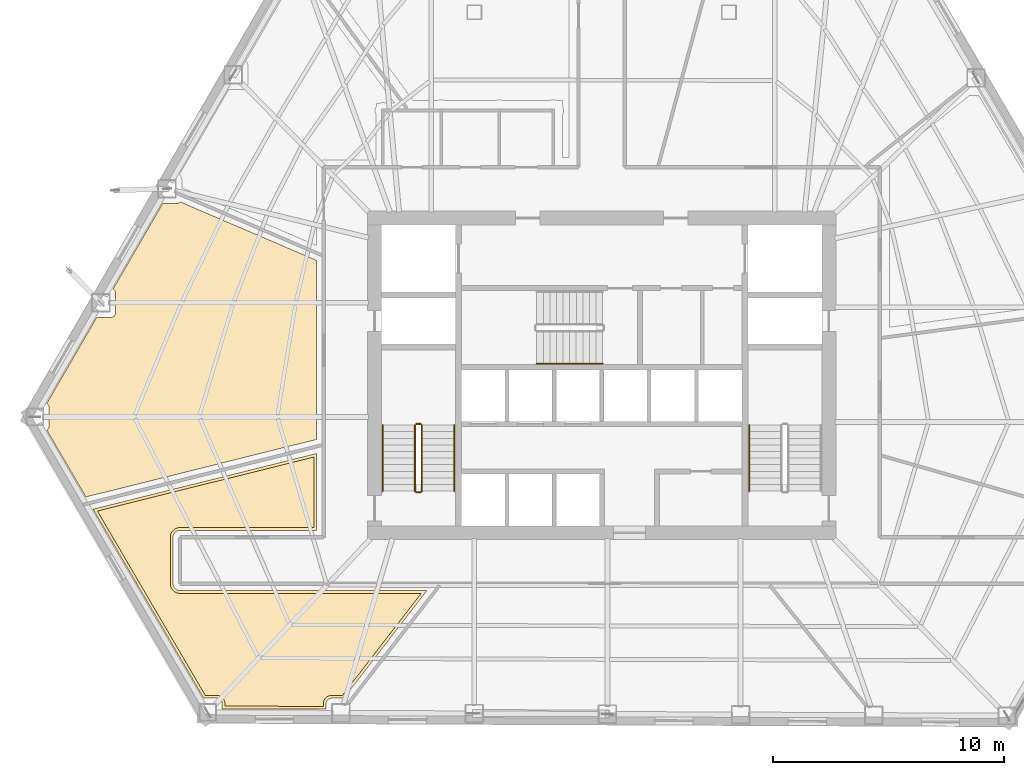
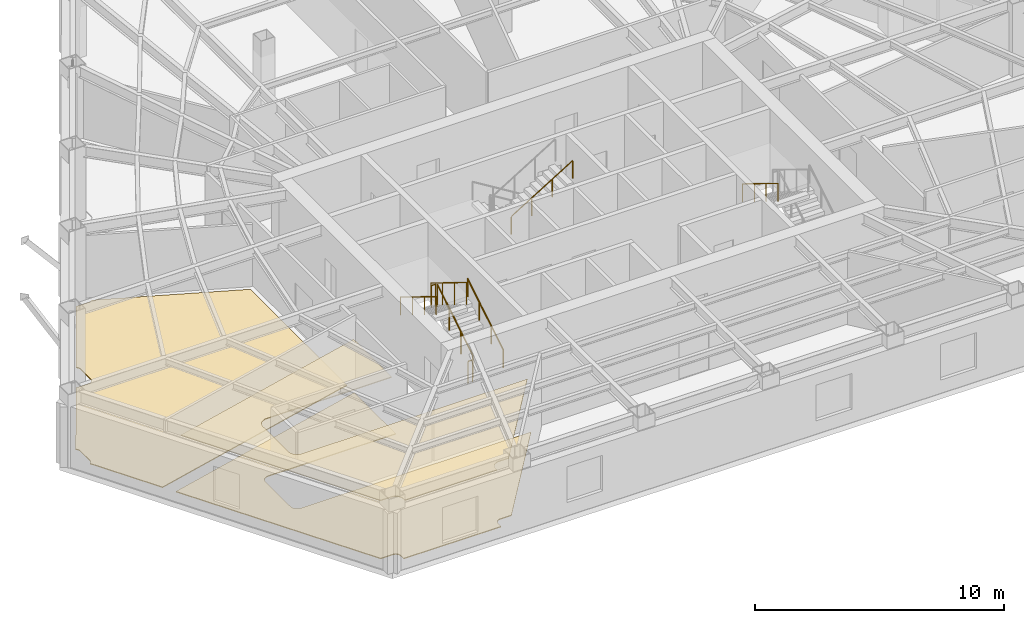
# One storey, part 12 of 14: 8 railings, 3 coverings.
"""IFC4 building model written with IfcOpenShell, lengths in metres."""

from ifc_helpers import new_model, si_unit, direction, frame, origin, origin_2d, place, context, subcontext, project, spatial, polyline, circle, outline, extrude, material, layer, layer_set, type_object, element, save


model = new_model("IFC4")

# Units and contexts
model_context = context("Model", 3, precision=1e-05, world=origin(), true_north=direction((0.0, 1.0)))
body_context = subcontext(model_context, "Body", "Model", "MODEL_VIEW")
ifc_project = project(units=[si_unit("LENGTHUNIT", "METRE"), si_unit("AREAUNIT", "SQUARE_METRE"), si_unit("VOLUMEUNIT", "CUBIC_METRE"), si_unit("PLANEANGLEUNIT", "RADIAN"), si_unit("MASSUNIT", "GRAM", prefix="KILO")], contexts=[model_context])

# Site, building, storey
site_placement = place(None, origin())
site = spatial("IfcSite", under=ifc_project, at=site_placement, CompositionType="ELEMENT")
building_placement = place(site_placement, origin())
building = spatial("IfcBuilding", under=site, at=building_placement, Name="Kavelnor Concourse Tower", CompositionType="ELEMENT")
storey_placement = place(building_placement, frame((0.0, 0.0, 52.199951171875)))
storey = spatial("IfcBuildingStorey", under=building, at=storey_placement, Name="L13", CompositionType="ELEMENT", Elevation=52.199951171875)

# Coverings
ifc_material_1 = material(Name="Mineral fibre acoustic ceiling tile")
ifc_layer_1 = layer(ifc_material_1, 0.0400390625, Name="Mineral fibre acoustic ceiling tile")
ifc_layer_set_1 = layer_set([ifc_layer_1], Name="Mineral fibre acoustic ceiling tile")
covering_type_1 = type_object("IfcCoveringType", Name="COV-CEILING-ACOUSTIC", PredefinedType="CEILING", material=ifc_layer_set_1)
covering_1_placement = place(storey_placement, frame((0.0, 0.0, 2.75)))
element("IfcCovering", 1, at=covering_1_placement, inside=storey, type_object=covering_type_1, Name="L13 Suspended Acoustic Ceiling", PredefinedType="CEILING", context=body_context, shape_type="SweptSolid", body=[
    extrude(outline(polyline([(19.7666015625, 9.5224609375), (19.7333984375, 9.52099609375), (19.6923828125, 9.514892578125), (19.652099609375, 9.504638671875), (19.613037109375, 9.49072265625), (19.575439453125, 9.472900390625), (19.539794921875, 9.45166015625), (19.506591796875, 9.427001953125), (19.475830078125, 9.39892578125), (19.447998046875, 9.368408203125), (19.42333984375, 9.3349609375), (19.40185546875, 9.29931640625), (19.38427734375, 9.26171875), (19.3701171875, 9.222900390625), (19.360107421875, 9.1826171875), (19.35400390625, 9.1416015625), (19.352294921875, 9.1083984375), (19.352294921875, 7.091796875), (19.35400390625, 7.05859375), (19.360107421875, 7.017578125), (19.3701171875, 6.977294921875), (19.38427734375, 6.938232421875), (19.40185546875, 6.900634765625), (19.42333984375, 6.864990234375), (19.447998046875, 6.831787109375), (19.475830078125, 6.801025390625), (19.506591796875, 6.773193359375), (19.539794921875, 6.748291015625), (19.575439453125, 6.72705078125), (19.613037109375, 6.709228515625), (19.652099609375, 6.6953125), (19.6923828125, 6.685302734375), (19.7333984375, 6.67919921875), (19.7666015625, 6.677490234375), (25.98828125, 6.677490234375), (26.021484375, 6.67919921875), (26.030029296875, 6.680419921875), (26.03857421875, 6.67919921875), (26.07177734375, 6.677490234375), (30.198974609375, 6.677490234375), (26.79248046875, 2.2666015625), (26.321533203125, 2.2666015625), (26.29443359375, 2.26513671875), (26.259521484375, 2.260009765625), (26.22509765625, 2.25146484375), (26.19189453125, 2.239501953125), (26.159912109375, 2.224365234375), (26.129638671875, 2.206298828125), (26.101318359375, 2.18505859375), (26.074951171875, 2.161376953125), (26.05126953125, 2.135009765625), (26.030029296875, 2.106689453125), (26.011962890625, 2.076416015625), (25.996826171875, 2.04443359375), (25.98486328125, 2.010986328125), (25.976318359375, 1.976806640625), (25.97119140625, 1.94189453125), (25.9697265625, 1.914794921875), (25.9697265625, 1.789794921875), (21.711669921875, 1.80810546875), (21.711669921875, 1.919677734375), (21.71044921875, 1.946533203125), (21.705078125, 1.981689453125), (21.696533203125, 2.015869140625), (21.684814453125, 2.04931640625), (21.669677734375, 2.081298828125), (21.6513671875, 2.111572265625), (21.63037109375, 2.139892578125), (21.6064453125, 2.166015625), (21.580322265625, 2.18994140625), (21.552001953125, 2.2109375), (21.521484375, 2.229248046875), (21.489501953125, 2.244384765625), (21.456298828125, 2.256103515625), (21.422119140625, 2.264892578125), (21.386962890625, 2.27001953125), (21.360107421875, 2.271240234375), (20.863037109375, 2.271240234375), (16.200927734375, 10.2373046875), (25.5576171875, 12.570068359375), (25.5576171875, 9.5224609375), (19.7666015625, 9.5224609375)])), origin(), (0.0, 0.0, 1.0), 0.0400390625),
])
ifc_material_2 = material(Name="Honed bluestone and raised access floor finish", Category="masonry")
ifc_layer_2 = layer(ifc_material_2, 0.0400390625, Name="Honed bluestone and raised access floor finish")
ifc_layer_set_2 = layer_set([ifc_layer_2], Name="Honed bluestone and raised access floor finish")
covering_type_2 = type_object("IfcCoveringType", Name="COV-FLOOR-STONE", PredefinedType="FLOORING", material=ifc_layer_set_2)
covering_2_placement = place(storey_placement, frame((0.0, 0.0, 0.001953125)))
element("IfcCovering", 2, at=covering_2_placement, inside=storey, type_object=covering_type_2, Name="L13 Honed Bluestone Floor Finish", PredefinedType="FLOORING", context=body_context, shape_type="SweptSolid", body=[
    extrude(outline(polyline([(16.1650390625, 18.597412109375), (16.75634765625, 18.597412109375), (16.774658203125, 18.59814453125), (16.7978515625, 18.601806640625), (16.82080078125, 18.607421875), (16.843017578125, 18.615234375), (16.8642578125, 18.62548828125), (16.884521484375, 18.637451171875), (16.9033203125, 18.651611328125), (16.9208984375, 18.66748046875), (16.936767578125, 18.684814453125), (16.95068359375, 18.703857421875), (16.962890625, 18.72412109375), (16.972900390625, 18.745361328125), (16.98095703125, 18.767578125), (16.986572265625, 18.790283203125), (16.989990234375, 18.813720703125), (16.990966796875, 18.831787109375), (16.990966796875, 19.642578125), (16.989990234375, 19.660888671875), (16.986572265625, 19.68408203125), (16.98095703125, 19.70703125), (16.972900390625, 19.729248046875), (16.962890625, 19.75048828125), (16.95068359375, 19.770751953125), (16.936767578125, 19.789794921875), (16.9208984375, 19.80712890625), (16.9033203125, 19.822998046875), (16.884521484375, 19.837158203125), (16.8837890625, 19.83740234375), (19.021484375, 23.52685546875), (19.613037109375, 23.52685546875), (19.631103515625, 23.52783203125), (19.654541015625, 23.53125), (19.67724609375, 23.537109375), (19.699462890625, 23.544921875), (19.720947265625, 23.554931640625), (19.7412109375, 23.567138671875), (19.760009765625, 23.581298828125), (19.777587890625, 23.596923828125), (19.7802734375, 23.60009765625), (25.677490234375, 21.068603515625), (25.677490234375, 13.331787109375), (15.7060546875, 10.845458984375), (14.015625, 13.733642578125), (14.02685546875, 13.741943359375), (14.044189453125, 13.7578125), (14.06005859375, 13.775390625), (14.07421875, 13.794189453125), (14.086181640625, 13.814453125), (14.096435546875, 13.835693359375), (14.104248046875, 13.85791015625), (14.110107421875, 13.880859375), (14.113525390625, 13.904052734375), (14.114501953125, 13.92236328125), (14.114501953125, 14.693115234375), (14.113525390625, 14.711181640625), (14.110107421875, 14.734619140625), (14.104248046875, 14.75732421875), (14.096435546875, 14.779541015625), (14.086181640625, 14.801025390625), (14.07421875, 14.8212890625), (14.06005859375, 14.840087890625), (14.044189453125, 14.857666015625), (14.02685546875, 14.873291015625), (14.012939453125, 14.8837890625), (16.1650390625, 18.597412109375)])), origin(), (0.0, 0.0, 1.0), 0.0400390625),
])
covering_3_placement = place(storey_placement, frame((0.0, 0.0, 0.001953125)))
element("IfcCovering", 3, at=covering_3_placement, inside=storey, type_object=covering_type_2, Name="L13 Honed Bluestone Floor Finish", PredefinedType="FLOORING", context=body_context, shape_type="SweptSolid", body=[
    extrude(outline(polyline([(19.76953125, 9.402587890625), (19.7451171875, 9.4013671875), (19.7158203125, 9.39697265625), (19.68701171875, 9.3896484375), (19.658935546875, 9.379638671875), (19.632080078125, 9.366943359375), (19.606689453125, 9.351806640625), (19.582763671875, 9.333984375), (19.560791015625, 9.314208984375), (19.541015625, 9.2919921875), (19.523193359375, 9.268310546875), (19.5078125, 9.24267578125), (19.4951171875, 9.2158203125), (19.485107421875, 9.18798828125), (19.47802734375, 9.1591796875), (19.4736328125, 9.129638671875), (19.472412109375, 9.10546875), (19.472412109375, 7.094482421875), (19.4736328125, 7.0703125), (19.47802734375, 7.041015625), (19.485107421875, 7.01220703125), (19.4951171875, 6.984130859375), (19.5078125, 6.957275390625), (19.523193359375, 6.931884765625), (19.541015625, 6.907958984375), (19.560791015625, 6.885986328125), (19.582763671875, 6.865966796875), (19.606689453125, 6.848388671875), (19.632080078125, 6.8330078125), (19.658935546875, 6.8203125), (19.68701171875, 6.810302734375), (19.7158203125, 6.802978515625), (19.7451171875, 6.798583984375), (19.76953125, 6.797607421875), (25.9853515625, 6.797607421875), (26.009765625, 6.798583984375), (26.030029296875, 6.8017578125), (26.05029296875, 6.798583984375), (26.07470703125, 6.797607421875), (30.443115234375, 6.797607421875), (26.851318359375, 2.146484375), (26.324462890625, 2.146484375), (26.30615234375, 2.1455078125), (26.282958984375, 2.14208984375), (26.260009765625, 2.136474609375), (26.23779296875, 2.12841796875), (26.216552734375, 2.118408203125), (26.1962890625, 2.106201171875), (26.177490234375, 2.09228515625), (26.159912109375, 2.076416015625), (26.14404296875, 2.058837890625), (26.1298828125, 2.0400390625), (26.117919921875, 2.019775390625), (26.10791015625, 1.998291015625), (26.099853515625, 1.976318359375), (26.09423828125, 1.953369140625), (26.0908203125, 1.93017578125), (26.08984375, 1.911865234375), (26.08984375, 1.669189453125), (21.591796875, 1.688720703125), (21.591796875, 1.916748046875), (21.5908203125, 1.934814453125), (21.58740234375, 1.958251953125), (21.58154296875, 1.98095703125), (21.57373046875, 2.003173828125), (21.563720703125, 2.024658203125), (21.551513671875, 2.044921875), (21.537353515625, 2.063720703125), (21.521484375, 2.081298828125), (21.504150390625, 2.096923828125), (21.485107421875, 2.111083984375), (21.465087890625, 2.123291015625), (21.443603515625, 2.13330078125), (21.42138671875, 2.14111328125), (21.398681640625, 2.14697265625), (21.375244140625, 2.150390625), (21.357177734375, 2.1513671875), (20.794189453125, 2.1513671875), (16.0166015625, 10.31494140625), (25.677490234375, 12.7236328125), (25.677490234375, 9.402587890625), (19.76953125, 9.402587890625)])), origin(), (0.0, 0.0, 1.0), 0.0400390625),
])

# Railings
ifc_material_3 = material(Name="Steel Grade 350", Category="steel")
railing_type_1 = type_object("IfcRailingType", Name="RLG-GUARD-1100", PredefinedType="GUARDRAIL", material=ifc_material_3)
railing_1_placement = place(storey_placement, frame((30.22998046875, 11.10009765625, 0.175048828125)))
element("IfcRailing", 4, at=railing_1_placement, inside=storey, type_object=railing_type_1, Name="L13 ST1 stair guard 1", PredefinedType="GUARDRAIL", context=body_context, shape_type="SweptSolid", body=[
    extrude(circle(Radius=0.02392578125, at=origin_2d()), frame((0.0, 0.0, 1.076171875), z_axis=(0.0, 0.852159232446, 0.523282564737), x_axis=(-1.0, 0.0, 0.0)), (0.0, 0.0, 1.0), 3.34423828125),
    extrude(circle(Radius=0.02099609375, at=origin_2d()), origin(), (0.0, 0.0, 1.0), 1.052001953125),
    extrude(circle(Radius=0.02099609375, at=origin_2d()), frame((0.0, 0.949951171875, 0.583251953125)), (0.0, 0.0, 1.0), 1.052001953125),
    extrude(circle(Radius=0.02099609375, at=origin_2d()), frame((0.0, 1.89990234375, 1.166748046875)), (0.0, 0.0, 1.0), 1.052001953125),
    extrude(circle(Radius=0.02099609375, at=origin_2d()), frame((0.0, 2.849853515625, 1.75)), (0.0, 0.0, 1.0), 1.052001953125),
])
railing_2_placement = place(storey_placement, frame((30.179931640625, 14.0, 1.925048828125)))
element("IfcRailing", 5, at=railing_2_placement, inside=storey, type_object=railing_type_1, Name="L13 ST1 stair guard 2", PredefinedType="GUARDRAIL", context=body_context, shape_type="SweptSolid", body=[
    extrude(circle(Radius=0.02392578125, at=origin_2d()), frame((0.0, 0.0, 1.076171875), z_axis=(-1.0, 0.0, 0.0), x_axis=(0.0, -1.0, 0.0)), (0.0, 0.0, 1.0), 0.199951171875),
    extrude(circle(Radius=0.02099609375, at=origin_2d()), origin(), (0.0, 0.0, 1.0), 1.052001953125),
    extrude(circle(Radius=0.02099609375, at=origin_2d()), frame((-0.199951171875, 0.0, 0.0)), (0.0, 0.0, 1.0), 1.052001953125),
])
railing_3_placement = place(storey_placement, frame((29.929931640625, 13.949951171875, 2.10009765625)))
element("IfcRailing", 6, at=railing_3_placement, inside=storey, type_object=railing_type_1, Name="L13 ST1 stair guard 3", PredefinedType="GUARDRAIL", context=body_context, shape_type="SweptSolid", body=[
    extrude(circle(Radius=0.02392578125, at=origin_2d()), frame((0.0, 0.0, 1.076171875), z_axis=(0.0, -0.852159232446, 0.523282564737), x_axis=(1.0, 0.0, 0.0)), (0.0, 0.0, 1.0), 3.34423828125),
    extrude(circle(Radius=0.02099609375, at=origin_2d()), origin(), (0.0, 0.0, 1.0), 1.052001953125),
    extrude(circle(Radius=0.02099609375, at=origin_2d()), frame((0.0, -0.949951171875, 0.583251953125)), (0.0, 0.0, 1.0), 1.052001953125),
    extrude(circle(Radius=0.02099609375, at=origin_2d()), frame((0.0, -1.89990234375, 1.166748046875)), (0.0, 0.0, 1.0), 1.052001953125),
    extrude(circle(Radius=0.02099609375, at=origin_2d()), frame((0.0, -2.849853515625, 1.75)), (0.0, 0.0, 1.0), 1.052001953125),
])
railing_4_placement = place(storey_placement, frame((30.179931640625, 11.050048828125, 0.0)))
element("IfcRailing", 7, at=railing_4_placement, inside=storey, type_object=railing_type_1, Name="L13 ST1 stair guard 4", PredefinedType="GUARDRAIL", context=body_context, shape_type="SweptSolid", body=[
    extrude(circle(Radius=0.02392578125, at=origin_2d()), frame((0.0, 0.0, 1.076171875), z_axis=(-1.0, 0.0, 0.0), x_axis=(0.0, -1.0, 0.0)), (0.0, 0.0, 1.0), 0.199951171875),
    extrude(circle(Radius=0.02099609375, at=origin_2d()), origin(), (0.0, 0.0, 1.0), 1.052001953125),
    extrude(circle(Radius=0.02099609375, at=origin_2d()), frame((-0.199951171875, 0.0, 0.0)), (0.0, 0.0, 1.0), 1.052001953125),
])
railing_type_2 = type_object("IfcRailingType", Name="RLG-HANDRAIL-900", PredefinedType="HANDRAIL", material=ifc_material_3)
railing_5_placement = place(storey_placement, frame((31.6298828125, 11.10009765625, 0.175048828125)))
element("IfcRailing", 8, at=railing_5_placement, inside=storey, type_object=railing_type_2, Name="L13 ST1 stair handrail 1", PredefinedType="HANDRAIL", context=body_context, shape_type="SweptSolid", body=[
    extrude(circle(Radius=0.02392578125, at=origin_2d()), frame((0.0, 0.0, 0.8759765625), z_axis=(0.0, 0.852159232446, 0.523282564737), x_axis=(-1.0, 0.0, 0.0)), (0.0, 0.0, 1.0), 3.34423828125),
    extrude(circle(Radius=0.02099609375, at=origin_2d()), origin(), (0.0, 0.0, 1.0), 0.851806640625),
    extrude(circle(Radius=0.02099609375, at=origin_2d()), frame((0.0, 0.949951171875, 0.583251953125)), (0.0, 0.0, 1.0), 0.851806640625),
    extrude(circle(Radius=0.02099609375, at=origin_2d()), frame((0.0, 1.89990234375, 1.166748046875)), (0.0, 0.0, 1.0), 0.851806640625),
    extrude(circle(Radius=0.02099609375, at=origin_2d()), frame((0.0, 2.849853515625, 1.75)), (0.0, 0.0, 1.0), 0.851806640625),
])
for number, where, name in (
    (9, (28.530029296875, 13.949951171875, 2.10009765625), "L13 ST1 stair handrail 2"),
    (10, (44.3701171875, 13.949951171875, 2.10009765625), "L13 ST2 stair handrail 2"),
):
    element("IfcRailing", number, at=place(storey_placement, frame(where)), inside=storey, type_object=railing_type_2, Name=name, PredefinedType="HANDRAIL", context=body_context, shape_type="SweptSolid", body=[
        extrude(circle(Radius=0.02392578125, at=origin_2d()), frame((0.0, 0.0, 0.8759765625), z_axis=(0.0, -0.852159232446, 0.523282564737), x_axis=(1.0, 0.0, 0.0)), (0.0, 0.0, 1.0), 3.34423828125),
        extrude(circle(Radius=0.02099609375, at=origin_2d()), origin(), (0.0, 0.0, 1.0), 0.851806640625),
        extrude(circle(Radius=0.02099609375, at=origin_2d()), frame((0.0, -0.949951171875, 0.583251953125)), (0.0, 0.0, 1.0), 0.851806640625),
        extrude(circle(Radius=0.02099609375, at=origin_2d()), frame((0.0, -1.89990234375, 1.166748046875)), (0.0, 0.0, 1.0), 0.851806640625),
        extrude(circle(Radius=0.02099609375, at=origin_2d()), frame((0.0, -2.849853515625, 1.75)), (0.0, 0.0, 1.0), 0.851806640625),
    ])
railing_6_placement = place(storey_placement, frame((35.18994140625, 16.610107421875, 2.10009765625)))
element("IfcRailing", 11, at=railing_6_placement, inside=storey, type_object=railing_type_2, Name="L13 ST3 stair handrail 2", PredefinedType="HANDRAIL", context=body_context, shape_type="SweptSolid", body=[
    extrude(circle(Radius=0.02392578125, at=origin_2d()), frame((0.0, 0.0, 0.8759765625), z_axis=(0.852179220489, 0.0, 0.52325001306), x_axis=(0.0, 1.0, 0.0)), (0.0, 0.0, 1.0), 3.344482421875),
    extrude(circle(Radius=0.02099609375, at=origin_2d()), origin(), (0.0, 0.0, 1.0), 0.851806640625),
    extrude(circle(Radius=0.02099609375, at=origin_2d()), frame((0.949951171875, 0.0, 0.583251953125)), (0.0, 0.0, 1.0), 0.851806640625),
    extrude(circle(Radius=0.02099609375, at=origin_2d()), frame((1.900146484375, 0.0, 1.166748046875)), (0.0, 0.0, 1.0), 0.851806640625),
    extrude(circle(Radius=0.02099609375, at=origin_2d()), frame((2.85009765625, 0.0, 1.75)), (0.0, 0.0, 1.0), 0.851806640625),
])

save(model, "model.ifc")
